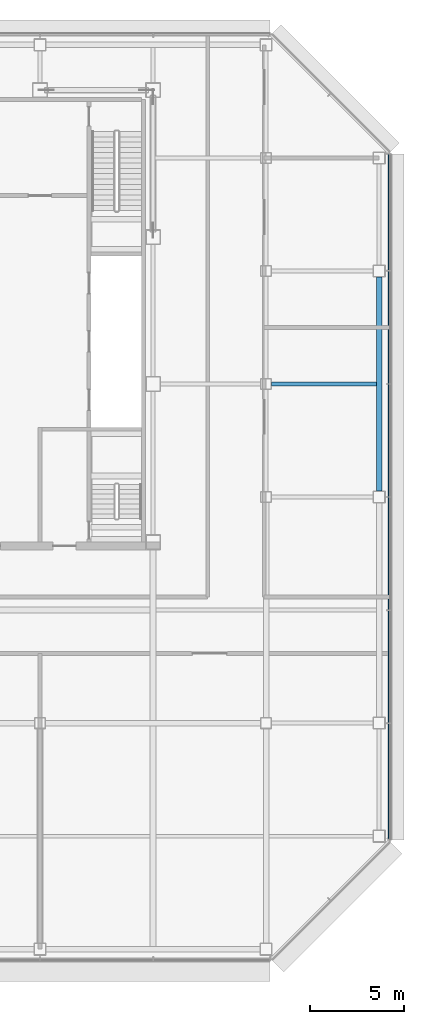
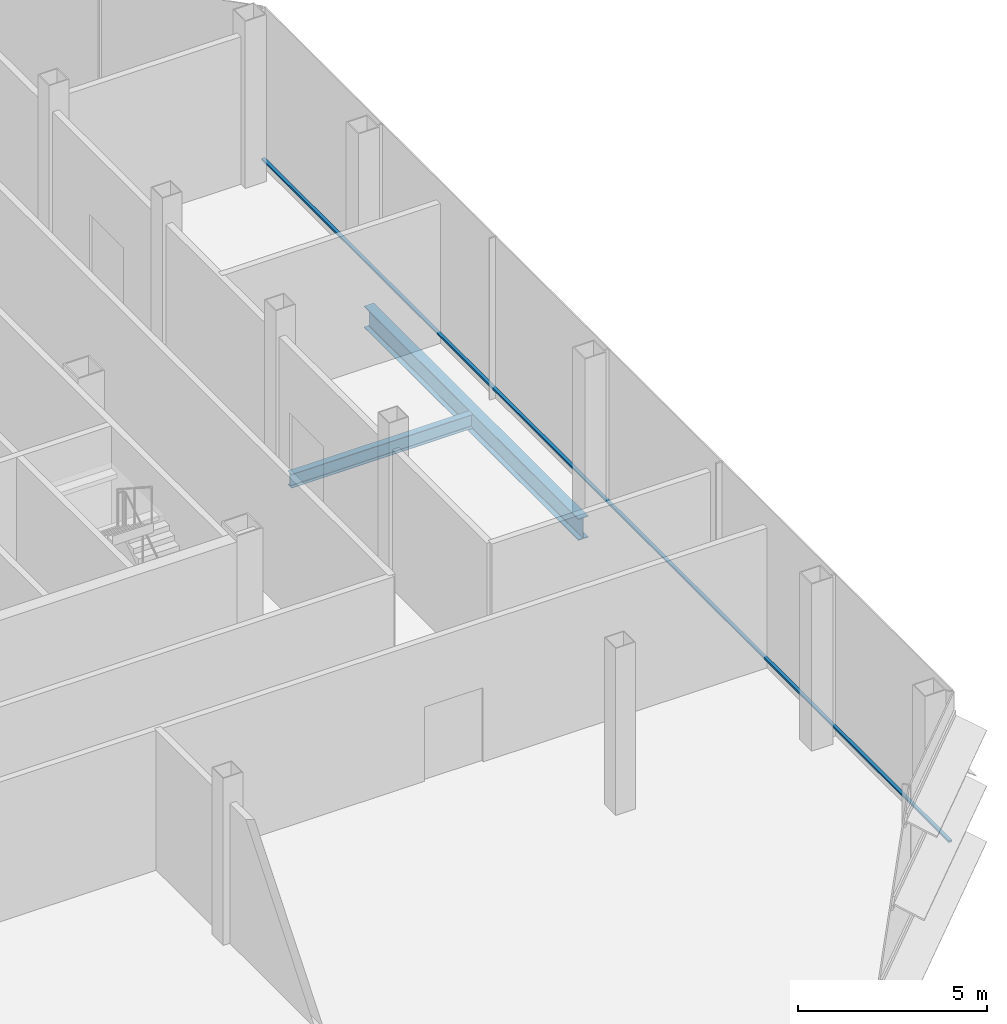
# One storey, part 15 of 25: 2 beams, 1 member, 1 element without a shape of its own.
"""IFC4 building model written with IfcOpenShell, lengths in metres."""

import ifcopenshell
import ifcopenshell.guid

model = None  # the IFC model being written
_history = None  # IfcOwnerHistory: only IFC2X3 demands one
_inside = {}  # id of a spatial element -> (the spatial element, [elements in it])
_under = {}  # id of a project, library or spatial element -> (it, [spatial elements below it])
_declared = {}  # id of a project -> (the project, [libraries it declares])
_typed = {}  # id of a type object -> (the type object, [elements of that type])
_made_of = {}  # id of a material, layer set ... -> (it, [elements and type objects made of it])


def new_model(schema):
    """Start an empty IFC model of exactly this schema.

    Asked for "IFC4X3", IfcOpenShell would pick the latest addendum, in which some entities
    have other attributes; the version numbers below select the first issue.
    IFC2X3 requires an IfcOwnerHistory on every rooted entity: one is made here for all.
    """
    global model, _history
    if schema == "IFC4X3":
        model = ifcopenshell.file(schema_version=(4, 3, 0, 0))
    else:
        model = ifcopenshell.file(schema=schema)
    _inside.clear()
    _under.clear()
    _declared.clear()
    _typed.clear()
    _made_of.clear()
    _history = None
    if model.schema == "IFC2X3":
        org = make("IfcOrganization", Name="unknown")
        user = make(
            "IfcPersonAndOrganization",
            ThePerson=make("IfcPerson", FamilyName="unknown"),
            TheOrganization=org,
        )
        app = make(
            "IfcApplication",
            ApplicationDeveloper=org,
            Version="unknown",
            ApplicationFullName="unknown",
            ApplicationIdentifier="unknown",
        )
        _history = make(
            "IfcOwnerHistory",
            OwningUser=user,
            OwningApplication=app,
            ChangeAction="ADDED",
            CreationDate=0,
        )
    return model


def make(cls, **values):
    """One entity of the class cls with the attributes given. An attribute that is None is left unset."""
    return model.create_entity(
        cls, **{name: value for name, value in values.items() if value is not None}
    )


def rooted(cls, **values):
    """An entity with a GlobalId (a new one), such as an element, a storey or a relation."""
    return make(cls, GlobalId=ifcopenshell.guid.new(), OwnerHistory=_history, **values)


def si_unit(unit_type, name, prefix=None):
    """IfcSIUnit, for example si_unit("LENGTHUNIT", "METRE", prefix="MILLI")."""
    return make("IfcSIUnit", UnitType=unit_type, Prefix=prefix, Name=name)


def assignment(units):
    """IfcUnitAssignment: the units of a project."""
    return None if units is None else make("IfcUnitAssignment", Units=units)


def point(xyz):
    """IfcCartesianPoint."""
    return None if xyz is None else make("IfcCartesianPoint", Coordinates=xyz)


def direction(xyz):
    """IfcDirection."""
    return None if xyz is None else make("IfcDirection", DirectionRatios=xyz)


def frame(location, z_axis=None, x_axis=None):
    """IfcAxis2Placement3D, a coordinate frame: its origin and axes. An axis left out is left unset."""
    return make(
        "IfcAxis2Placement3D",
        Location=point(location),
        Axis=direction(z_axis),
        RefDirection=direction(x_axis),
    )


def frame_2d(location, x_axis=None):
    """IfcAxis2Placement2D, a coordinate frame in the plane: its origin and x axis."""
    return make(
        "IfcAxis2Placement2D", Location=point(location), RefDirection=direction(x_axis)
    )


def origin():
    """The frame at (0, 0, 0) with its axes left unset."""
    return frame((0.0, 0.0, 0.0))


def origin_2d():
    """The frame at (0, 0) in the plane with its x axis left unset."""
    return frame_2d((0.0, 0.0))


def place(relative_to, where):
    """IfcLocalPlacement: puts the frame where relative to a parent placement (None: the world)."""
    return make(
        "IfcLocalPlacement", PlacementRelTo=relative_to, RelativePlacement=where
    )


def context(
    kind, dimensions, precision=None, world=None, true_north=None, identifier=None
):
    """IfcGeometricRepresentationContext, for example the 3D "Model" context."""
    return make(
        "IfcGeometricRepresentationContext",
        ContextIdentifier=identifier,
        ContextType=kind,
        CoordinateSpaceDimension=dimensions,
        Precision=precision,
        WorldCoordinateSystem=world,
        TrueNorth=true_north,
    )


def subcontext(parent, identifier, kind, view, scale=None):
    """IfcGeometricRepresentationSubContext, for example "Body" below "Model"."""
    return make(
        "IfcGeometricRepresentationSubContext",
        ContextIdentifier=identifier,
        ContextType=kind,
        ParentContext=parent,
        TargetScale=scale,
        TargetView=view,
    )


def project(units=None, contexts=None):
    """IfcProject with its units and contexts."""
    return rooted(
        "IfcProject",
        Name="project",
        RepresentationContexts=contexts,
        UnitsInContext=assignment(units),
    )


def spatial(cls, under=None, at=None, **own):
    """A site, building, storey or space (cls), placed at a placement, below another one or the project."""
    s = rooted(cls, ObjectPlacement=at, **own)
    if under is not None:
        _under.setdefault(under.id(), (under, []))[1].append(s)
    return s


def profile(cls, at=None, kind="AREA", **sizes):
    """A parametric profile (cls). Its sizes go by their IFC names, for example OverallWidth=200.0."""
    return make(cls, ProfileType=kind, Position=at, **sizes)


def rectangle(**sizes):
    """IfcRectangleProfileDef."""
    return profile("IfcRectangleProfileDef", **sizes)


def i_section(**sizes):
    """IfcIShapeProfileDef."""
    return profile("IfcIShapeProfileDef", **sizes)


def extrude(swept, where, along, depth):
    """IfcExtrudedAreaSolid: the profile swept, set in the frame where, extruded along a direction by depth."""
    return make(
        "IfcExtrudedAreaSolid",
        SweptArea=swept,
        Position=where,
        ExtrudedDirection=direction(along),
        Depth=depth,
    )


def shape(context_of_items, identifier, shape_type, items):
    """IfcShapeRepresentation: the items that make up one representation, for example the "Body"."""
    return make(
        "IfcShapeRepresentation",
        ContextOfItems=context_of_items,
        RepresentationIdentifier=identifier,
        RepresentationType=shape_type,
        Items=items,
    )


def material(Name=None, Category=None):
    """IfcMaterial."""
    return make("IfcMaterial", Name=Name, Category=Category)


def material_profile(
    of_material, cross_section, Name=None, Category=None, Priority=None
):
    """IfcMaterialProfile: a cross section and its material."""
    return make(
        "IfcMaterialProfile",
        Name=Name,
        Material=of_material,
        Profile=cross_section,
        Priority=Priority,
        Category=Category,
    )


def profile_set(profiles, Name=None, composite=None):
    """IfcMaterialProfileSet."""
    return make(
        "IfcMaterialProfileSet",
        Name=Name,
        MaterialProfiles=profiles,
        CompositeProfile=composite,
    )


def made_of(thing, what):
    """Note that an element or type object is made of a material, layer set ...; save() writes the relation."""
    if what is not None:
        _made_of.setdefault(what.id(), (what, []))[1].append(thing)
    return thing


def type_object(cls, material=None, **own):
    """A type object (cls), such as IfcWallType, which elements share."""
    return made_of(rooted(cls, **own), material)


def element(
    cls,
    number,
    at=None,
    inside=None,
    cuts=None,
    type_object=None,
    material=None,
    context=None,
    identifier="Body",
    shape_type=None,
    held_by="IfcProductDefinitionShape",
    body=None,
    shapes=None,
    **own,
):
    """One element of the class cls, such as IfcWall. Its Tag is "e" and its number.

    at: its placement. inside: the storey or other place that contains it. cuts: it is an
    opening in that element (IfcRelVoidsElement). A single representation is given by context,
    identifier, shape_type and body (its items); several are given by shapes. held_by: the class
    of the entity that holds the representations. save() writes the other relations.
    """
    e = rooted(cls, Tag="e%d" % number, ObjectPlacement=at, **own)
    if body is not None:
        shapes = [shape(context, identifier, shape_type, body)]
    if shapes is not None:
        e.Representation = make(held_by, Representations=shapes)
    if inside is not None:
        _inside.setdefault(inside.id(), (inside, []))[1].append(e)
    if cuts is not None:
        rooted(
            "IfcRelVoidsElement", RelatingBuildingElement=cuts, RelatedOpeningElement=e
        )
    if type_object is not None:
        _typed.setdefault(type_object.id(), (type_object, []))[1].append(e)
    return made_of(e, material)


def aggregate(whole, parts):
    """IfcRelAggregates: a whole, such as a stair, and the parts it consists of."""
    return rooted("IfcRelAggregates", RelatingObject=whole, RelatedObjects=parts)


def save(model, path):
    """Write the relations noted so far, then the file.

    IfcRelAggregates (storeys below a building ...), IfcRelContainedInSpatialStructure (elements
    in a storey), IfcRelDefinesByType, IfcRelAssociatesMaterial and IfcRelDeclares: one each for
    every whole, place, type object, material and project.
    """
    for whole, parts in _under.values():
        aggregate(whole, parts)
    for where, things in _inside.values():
        rooted(
            "IfcRelContainedInSpatialStructure",
            RelatedElements=things,
            RelatingStructure=where,
        )
    for kind, things in _typed.values():
        rooted("IfcRelDefinesByType", RelatedObjects=things, RelatingType=kind)
    for what, things in _made_of.values():
        rooted("IfcRelAssociatesMaterial", RelatedObjects=things, RelatingMaterial=what)
    for by, libraries in _declared.values():
        rooted("IfcRelDeclares", RelatingContext=by, RelatedDefinitions=libraries)
    model.write(path)


model = new_model("IFC4")

# Units and contexts
model_context = context("Model", 3, precision=1e-05, world=origin(), true_north=direction((0.0, 1.0)))
body_context = subcontext(model_context, "Body", "Model", "MODEL_VIEW")
ifc_project = project(units=[si_unit("LENGTHUNIT", "METRE"), si_unit("AREAUNIT", "SQUARE_METRE"), si_unit("VOLUMEUNIT", "CUBIC_METRE"), si_unit("PLANEANGLEUNIT", "RADIAN"), si_unit("MASSUNIT", "GRAM", prefix="KILO")], contexts=[model_context])

# Site, building, storey
site_placement = place(None, origin())
site = spatial("IfcSite", under=ifc_project, at=site_placement, CompositionType="ELEMENT")
building_placement = place(site_placement, origin())
building = spatial("IfcBuilding", under=site, at=building_placement, Name="Sorahane Residences", CompositionType="ELEMENT")
storey_placement = place(building_placement, frame((0.0, 0.0, 210.0)))
storey = spatial("IfcBuildingStorey", under=building, at=storey_placement, Name="L49", CompositionType="ELEMENT", Elevation=210.0)

# Curtain wall, member
ifc_material_1 = material(Name="Dark low-e glass and black anodised aluminium", Category="aluminium")
curtain_wall_type = type_object("IfcCurtainWallType", Name="Curtain wall CW-4 Sky floor frameless wall", PredefinedType="NOTDEFINED", material=ifc_material_1)
curtain_wall_placement = place(storey_placement, origin())
curtain_wall = element("IfcCurtainWall", 1, at=curtain_wall_placement, inside=storey, type_object=curtain_wall_type, Name="CW-4 curtain wall L49 E1", PredefinedType="NOTDEFINED")
ifc_material_2 = material(Name="Black anodised aluminium", Category="aluminium")
ifc_material_profile_1 = material_profile(ifc_material_2, rectangle(XDim=0.10009765625, YDim=0.06005859375, at=origin_2d()), Name="Curtain wall transom CW-4 black anodised aluminium 60x100")
ifc_profile_set_1 = profile_set([ifc_material_profile_1], Name="Black anodised aluminium")
member_type = type_object("IfcMemberType", Name="Curtain wall transom CW-4 black anodised aluminium 60x100", PredefinedType="USERDEFINED", material=ifc_profile_set_1)
member_placement = place(storey_placement, frame((54.530029296875, 5.801513671875, 0.35009765625), z_axis=(0.0, 1.0, 0.0), x_axis=(-1.0, 0.0, 0.0)))
member = element("IfcMember", 2, at=member_placement, type_object=member_type, Name="CW-4 transom L49 E1", ObjectType="TRANSOM", PredefinedType="USERDEFINED", context=body_context, shape_type="SweptSolid", body=[
    extrude(rectangle(XDim=0.10009765625, YDim=0.06005859375, at=origin_2d()), origin(), (0.0, 0.0, 1.0), 36.39697265625),
])
aggregate(curtain_wall, [member])

# Beams
ifc_material_3 = material(Name="Steel Q355B", Category="steel")
ifc_material_profile_2 = material_profile(ifc_material_3, i_section(OverallWidth=0.199951171875, OverallDepth=0.449951171875, WebThickness=0.009033203125, FlangeThickness=0.013916015625, FilletRadius=0.02001953125, at=origin_2d()), Name="HN 450x200x9x14")
ifc_profile_set_2 = profile_set([ifc_material_profile_2], Name="Steel Q355B")
beam_type_1 = type_object("IfcBeamType", Name="Steel floor beam HN 450x200x9x14 Q355B", PredefinedType="BEAM", material=ifc_profile_set_2)
beam_1_placement = place(storey_placement, frame((48.300048828125, 30.0, -0.445068359375), z_axis=(1.0, 0.0, 0.0), x_axis=(0.0, 1.0, 0.0)))
element("IfcBeam", 3, at=beam_1_placement, inside=storey, type_object=beam_type_1, Name="Beam L49 088", PredefinedType="BEAM", context=body_context, shape_type="SweptSolid", body=[
    extrude(i_section(OverallWidth=0.199951171875, OverallDepth=0.449951171875, WebThickness=0.009033203125, FlangeThickness=0.013916015625, FilletRadius=0.02001953125, at=origin_2d()), origin(), (0.0, 0.0, 1.0), 5.550048828125),
])
ifc_material_4 = material(Name="Steel Q355B", Category="steel")
ifc_material_profile_3 = material_profile(ifc_material_4, i_section(OverallWidth=0.300048828125, OverallDepth=0.699951171875, WebThickness=0.012939453125, FlangeThickness=0.02392578125, FilletRadius=0.028076171875, at=origin_2d()), Name="HN 700x300x13x24")
ifc_profile_set_3 = profile_set([ifc_material_profile_3], Name="Steel Q355B")
beam_type_2 = type_object("IfcBeamType", Name="Steel floor beam HN 700x300x13x24 Q355B", PredefinedType="BEAM", material=ifc_profile_set_3)
beam_2_placement = place(storey_placement, frame((54.0, 24.324951171875, -0.570068359375), z_axis=(0.0, 1.0, 0.0), x_axis=(-1.0, 0.0, 0.0)))
element("IfcBeam", 4, at=beam_2_placement, inside=storey, type_object=beam_type_2, Name="Beam L49 066", PredefinedType="BEAM", context=body_context, shape_type="SweptSolid", body=[
    extrude(i_section(OverallWidth=0.300048828125, OverallDepth=0.699951171875, WebThickness=0.012939453125, FlangeThickness=0.02392578125, FilletRadius=0.028076171875, at=origin_2d()), origin(), (0.0, 0.0, 1.0), 11.35009765625),
])

save(model, "model.ifc")
